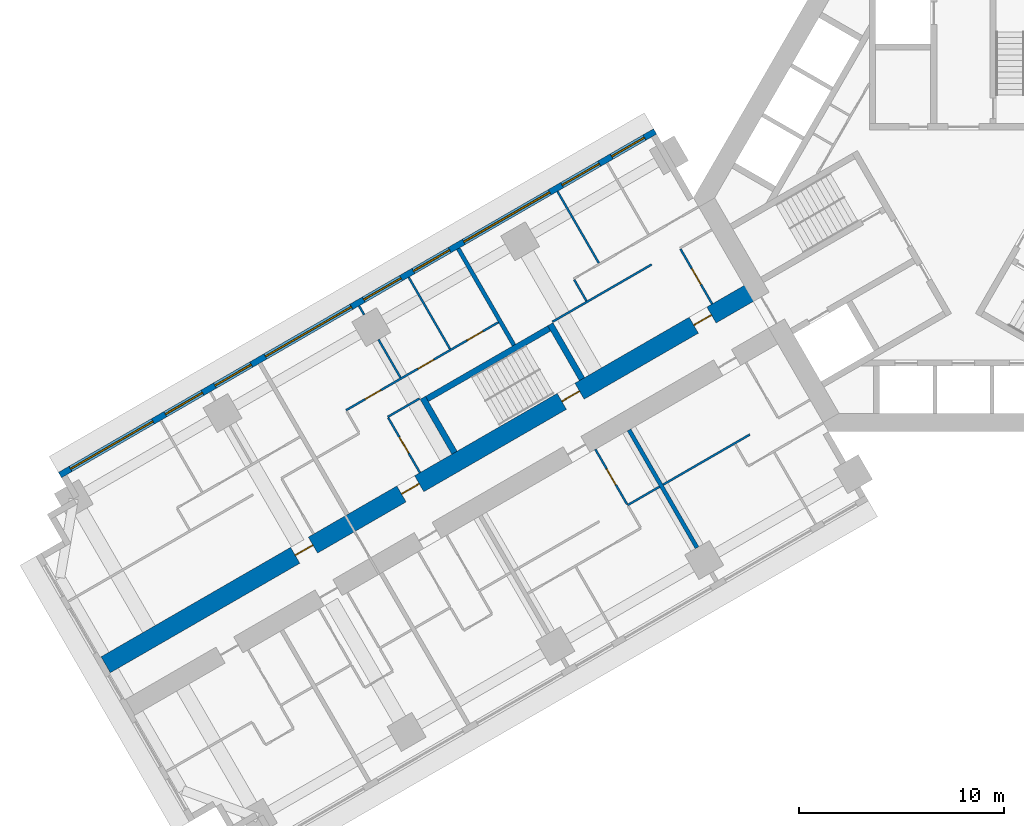
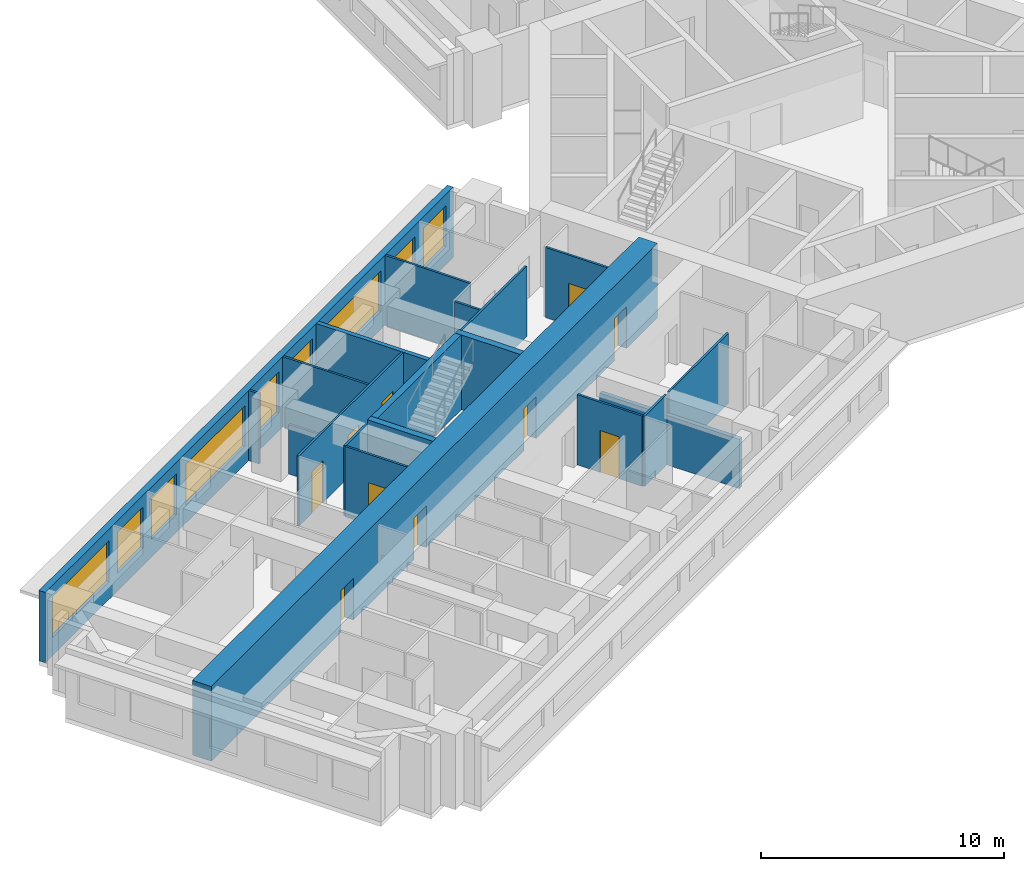
# One storey, part 5 of 16: 20 walls, 10 doors, 9 windows, 19 openings.
"""IFC4 building model written with IfcOpenShell, lengths in metres."""

from ifc_helpers import new_model, si_unit, direction, frame, frame_2d, origin, place, context, subcontext, project, spatial, rectangle, extrude, material, layer, layer_set, type_object, element, fill, save


model = new_model("IFC4")

# Units and contexts
model_context = context("Model", 3, precision=1e-05, world=origin(), true_north=direction((0.0, 1.0)))
body_context = subcontext(model_context, "Body", "Model", "MODEL_VIEW")
ifc_project = project(units=[si_unit("LENGTHUNIT", "METRE"), si_unit("AREAUNIT", "SQUARE_METRE"), si_unit("VOLUMEUNIT", "CUBIC_METRE"), si_unit("PLANEANGLEUNIT", "RADIAN"), si_unit("MASSUNIT", "GRAM", prefix="KILO")], contexts=[model_context])

# Site, building, storey
site_placement = place(None, origin())
site = spatial("IfcSite", under=ifc_project, at=site_placement, CompositionType="ELEMENT")
building_placement = place(site_placement, origin())
building = spatial("IfcBuilding", under=site, at=building_placement, Name="Impinga Residences", CompositionType="ELEMENT")
storey_placement = place(building_placement, frame((0.0, 0.0, 71.0)))
storey = spatial("IfcBuildingStorey", under=building, at=storey_placement, Name="L17", CompositionType="ELEMENT", Elevation=71.0)

# Wall, openings, doors
ifc_material_1 = material(Name="Concrete C70/85", Category="concrete")
ifc_layer_1 = layer(ifc_material_1, 0.89990234375)
ifc_layer_set_1 = layer_set([ifc_layer_1], Name="Concrete C70/85")
wall_type_1 = type_object("IfcWallType", Name="BW1 corridor buttress wall, L05 to L22 900", PredefinedType="SHEAR", material=ifc_layer_set_1)
wall_1_placement = place(storey_placement, frame((-10.1103515625, -4.451416015625, 0.0), z_axis=(0.0, 0.0, 1.0), x_axis=(-0.866025284237, -0.500000207062, 0.0)))
wall_1 = element("IfcWall", 1, at=wall_1_placement, inside=storey, type_object=wall_type_1, Name="Corridor wall BW1 WD L17", PredefinedType="SHEAR", context=body_context, shape_type="SweptSolid", body=[
    extrude(rectangle(XDim=36.75, YDim=0.89990234375, at=frame_2d((18.375, 0.0))), origin(), (0.0, 0.0, 1.0), 3.75),
])
opening_1_placement = place(wall_1_placement, frame((10.0, 0.0, 0.0)))
opening_1 = element("IfcOpeningElement", 2, at=opening_1_placement, cuts=wall_1, Name="Opening D5", PredefinedType="OPENING", context=body_context, shape_type="SweptSolid", body=[
    extrude(rectangle(XDim=1.0, YDim=2.10009765625, at=frame_2d((0.5, 1.050048828125))), frame((0.0, 0.4599609375, 0.0), z_axis=(0.0, -1.0, 0.0), x_axis=(1.0, 0.0, 0.0)), (0.0, 0.0, 1.0), 0.919921875),
])
opening_2_placement = place(wall_1_placement, frame((2.550048828125, 0.0, 0.0)))
opening_2 = element("IfcOpeningElement", 3, at=opening_2_placement, cuts=wall_1, Name="Opening D1", PredefinedType="OPENING", context=body_context, shape_type="SweptSolid", body=[
    extrude(rectangle(XDim=1.0, YDim=2.10009765625, at=frame_2d((0.5, 1.050048828125))), frame((0.0, 0.4599609375, 0.0), z_axis=(0.0, -1.0, 0.0), x_axis=(1.0, 0.0, 0.0)), (0.0, 0.0, 1.0), 0.919921875),
])
opening_3_placement = place(wall_1_placement, frame((19.050048828125, 0.0, 0.0)))
opening_3 = element("IfcOpeningElement", 4, at=opening_3_placement, cuts=wall_1, Name="Opening D1", PredefinedType="OPENING", context=body_context, shape_type="SweptSolid", body=[
    extrude(rectangle(XDim=1.0, YDim=2.10009765625, at=frame_2d((0.5, 1.050048828125))), frame((0.0, 0.4599609375, 0.0), z_axis=(0.0, -1.0, 0.0), x_axis=(1.0, 0.0, 0.0)), (0.0, 0.0, 1.0), 0.919921875),
])
opening_4_placement = place(wall_1_placement, frame((25.050048828125, 0.0, 0.0)))
opening_4 = element("IfcOpeningElement", 5, at=opening_4_placement, cuts=wall_1, Name="Opening D1", PredefinedType="OPENING", context=body_context, shape_type="SweptSolid", body=[
    extrude(rectangle(XDim=1.0, YDim=2.10009765625, at=frame_2d((0.5, 1.050048828125))), frame((0.0, 0.4599609375, 0.0), z_axis=(0.0, -1.0, 0.0), x_axis=(1.0, 0.0, 0.0)), (0.0, 0.0, 1.0), 0.919921875),
])
ifc_material_2 = material(Name="Timber door set", Category="wood")
door_type_1 = type_object("IfcDoorType", Name="D1 apartment entrance door 1000x2100", OperationType="SINGLE_SWING_LEFT", PredefinedType="DOOR", material=ifc_material_2)
door_1_placement = place(opening_2_placement, origin())
door_1 = element("IfcDoor", 6, at=door_1_placement, inside=storey, type_object=door_type_1, Name="Apartment L17-WF1 entrance", OperationType="SINGLE_SWING_LEFT", OverallHeight=2.10009765625, OverallWidth=1.0, PredefinedType="DOOR", context=body_context, shape_type="SweptSolid", body=[
    extrude(rectangle(XDim=1.0, YDim=2.10009765625, at=frame_2d((0.5, 1.050048828125))), frame((0.0, 0.02490234375, 0.0), z_axis=(0.0, -1.0, 0.0), x_axis=(1.0, 0.0, 0.0)), (0.0, 0.0, 1.0), 0.050048828125),
])
fill(opening_2, door_1)
door_2_placement = place(opening_3_placement, origin())
door_2 = element("IfcDoor", 7, at=door_2_placement, inside=storey, type_object=door_type_1, Name="Apartment L17-WF2 entrance", OperationType="SINGLE_SWING_RIGHT", OverallHeight=2.10009765625, OverallWidth=1.0, PredefinedType="DOOR", context=body_context, shape_type="SweptSolid", body=[
    extrude(rectangle(XDim=1.0, YDim=2.10009765625, at=frame_2d((0.5, 1.050048828125))), frame((0.0, 0.02490234375, 0.0), z_axis=(0.0, -1.0, 0.0), x_axis=(1.0, 0.0, 0.0)), (0.0, 0.0, 1.0), 0.050048828125),
])
fill(opening_3, door_2)
door_3_placement = place(opening_4_placement, origin())
door_3 = element("IfcDoor", 8, at=door_3_placement, inside=storey, type_object=door_type_1, Name="Apartment L17-WF3 entrance", OperationType="SINGLE_SWING_RIGHT", OverallHeight=2.10009765625, OverallWidth=1.0, PredefinedType="DOOR", context=body_context, shape_type="SweptSolid", body=[
    extrude(rectangle(XDim=1.0, YDim=2.10009765625, at=frame_2d((0.5, 1.050048828125))), frame((0.0, 0.02490234375, 0.0), z_axis=(0.0, -1.0, 0.0), x_axis=(1.0, 0.0, 0.0)), (0.0, 0.0, 1.0), 0.050048828125),
])
fill(opening_4, door_3)
door_type_2 = type_object("IfcDoorType", Name="D5 stair door 1000x2100", OperationType="SINGLE_SWING_LEFT", PredefinedType="DOOR", material=ifc_material_2)
door_4_placement = place(opening_1_placement, origin())
door_4 = element("IfcDoor", 9, at=door_4_placement, inside=storey, type_object=door_type_2, Name="Wing stair door W", OperationType="SINGLE_SWING_LEFT", OverallHeight=2.10009765625, OverallWidth=1.0, PredefinedType="DOOR", context=body_context, shape_type="SweptSolid", body=[
    extrude(rectangle(XDim=1.0, YDim=2.10009765625, at=frame_2d((0.5, 1.050048828125))), frame((0.0, 0.02490234375, 0.0), z_axis=(0.0, -1.0, 0.0), x_axis=(1.0, 0.0, 0.0)), (0.0, 0.0, 1.0), 0.050048828125),
])
fill(opening_1, door_4)

# Wall, openings, windows
ifc_material_3 = material(Name="Terracotta rainscreen on blockwork", Category="masonry")
ifc_layer_2 = layer(ifc_material_3, 0.300048828125)
ifc_layer_set_2 = layer_set([ifc_layer_2], Name="EW1 external wall, terracotta rainscreen on blockwork 300")
wall_type_2 = type_object("IfcWallType", Name="EW1 external wall, terracotta rainscreen on blockwork 300", PredefinedType="SOLIDWALL", material=ifc_layer_set_2)
wall_2_placement = place(storey_placement, frame((-44.17333984375, -13.552490234375, 0.0), z_axis=(0.0, 0.0, 1.0), x_axis=(0.866024291668, 0.500001926238, 0.0)))
wall_2 = element("IfcWall", 10, at=wall_2_placement, inside=storey, type_object=wall_type_2, Name="External wall EW1 L17", PredefinedType="SOLIDWALL", context=body_context, shape_type="SweptSolid", body=[
    extrude(rectangle(XDim=33.599853515625, YDim=0.300048828125, at=frame_2d((16.7998046875, 0.0))), origin(), (0.0, 0.0, 1.0), 3.530029296875),
])
opening_5_placement = place(wall_2_placement, frame((0.60009765625, 0.0, 0.89990234375)))
opening_5 = element("IfcOpeningElement", 11, at=opening_5_placement, cuts=wall_2, Name="Opening W10", PredefinedType="OPENING", context=body_context, shape_type="SweptSolid", body=[
    extrude(rectangle(XDim=4.64990234375, YDim=2.050048828125, at=frame_2d((2.324951171875, 1.02490234375))), frame((0.0, 0.159912109375, 0.0), z_axis=(0.0, -1.0, 0.0), x_axis=(1.0, 0.0, 0.0)), (0.0, 0.0, 1.0), 0.320068359375),
])
opening_6_placement = place(wall_2_placement, frame((5.949951171875, 0.0, 0.89990234375)))
opening_6 = element("IfcOpeningElement", 12, at=opening_6_placement, cuts=wall_2, Name="Opening W9", PredefinedType="OPENING", context=body_context, shape_type="SweptSolid", body=[
    extrude(rectangle(XDim=2.10009765625, YDim=2.050048828125, at=frame_2d((1.050048828125, 1.02490234375))), frame((0.0, 0.159912109375, 0.0), z_axis=(0.0, -1.0, 0.0), x_axis=(1.0, 0.0, 0.0)), (0.0, 0.0, 1.0), 0.320068359375),
])
opening_7_placement = place(wall_2_placement, frame((8.75, 0.0, 0.89990234375)))
opening_7 = element("IfcOpeningElement", 13, at=opening_7_placement, cuts=wall_2, Name="Opening W14", PredefinedType="OPENING", context=body_context, shape_type="SweptSolid", body=[
    extrude(rectangle(XDim=2.050048828125, YDim=2.050048828125, at=frame_2d((1.02490234375, 1.02490234375))), frame((0.0, 0.159912109375, 0.0), z_axis=(0.0, -1.0, 0.0), x_axis=(1.0, 0.0, 0.0)), (0.0, 0.0, 1.0), 0.320068359375),
])
opening_8_placement = place(wall_2_placement, frame((11.60009765625, 0.0, 0.89990234375)))
opening_8 = element("IfcOpeningElement", 14, at=opening_8_placement, cuts=wall_2, Name="Opening W6", PredefinedType="OPENING", context=body_context, shape_type="SweptSolid", body=[
    extrude(rectangle(XDim=4.85009765625, YDim=2.050048828125, at=frame_2d((2.425048828125, 1.02490234375))), frame((0.0, 0.159912109375, 0.0), z_axis=(0.0, -1.0, 0.0), x_axis=(1.0, 0.0, 0.0)), (0.0, 0.0, 1.0), 0.320068359375),
])
opening_9_placement = place(wall_2_placement, frame((17.14990234375, 0.0, 0.89990234375)))
opening_9 = element("IfcOpeningElement", 15, at=opening_9_placement, cuts=wall_2, Name="Opening W9", PredefinedType="OPENING", context=body_context, shape_type="SweptSolid", body=[
    extrude(rectangle(XDim=2.10009765625, YDim=2.050048828125, at=frame_2d((1.050048828125, 1.02490234375))), frame((0.0, 0.159912109375, 0.0), z_axis=(0.0, -1.0, 0.0), x_axis=(1.0, 0.0, 0.0)), (0.0, 0.0, 1.0), 0.320068359375),
])
opening_10_placement = place(wall_2_placement, frame((19.949951171875, 0.0, 0.89990234375)))
opening_10 = element("IfcOpeningElement", 16, at=opening_10_placement, cuts=wall_2, Name="Opening W14", PredefinedType="OPENING", context=body_context, shape_type="SweptSolid", body=[
    extrude(rectangle(XDim=2.050048828125, YDim=2.050048828125, at=frame_2d((1.02490234375, 1.02490234375))), frame((0.0, 0.159912109375, 0.0), z_axis=(0.0, -1.0, 0.0), x_axis=(1.0, 0.0, 0.0)), (0.0, 0.0, 1.0), 0.320068359375),
])
opening_11_placement = place(wall_2_placement, frame((22.800048828125, 0.0, 0.89990234375)))
opening_11 = element("IfcOpeningElement", 17, at=opening_11_placement, cuts=wall_2, Name="Opening W6", PredefinedType="OPENING", context=body_context, shape_type="SweptSolid", body=[
    extrude(rectangle(XDim=4.85009765625, YDim=2.050048828125, at=frame_2d((2.425048828125, 1.02490234375))), frame((0.0, 0.159912109375, 0.0), z_axis=(0.0, -1.0, 0.0), x_axis=(1.0, 0.0, 0.0)), (0.0, 0.0, 1.0), 0.320068359375),
])
opening_12_placement = place(wall_2_placement, frame((28.35009765625, 0.0, 0.89990234375)))
opening_12 = element("IfcOpeningElement", 18, at=opening_12_placement, cuts=wall_2, Name="Opening W9", PredefinedType="OPENING", context=body_context, shape_type="SweptSolid", body=[
    extrude(rectangle(XDim=2.10009765625, YDim=2.050048828125, at=frame_2d((1.050048828125, 1.02490234375))), frame((0.0, 0.159912109375, 0.0), z_axis=(0.0, -1.0, 0.0), x_axis=(1.0, 0.0, 0.0)), (0.0, 0.0, 1.0), 0.320068359375),
])
opening_13_placement = place(wall_2_placement, frame((31.14990234375, 0.0, 0.89990234375)))
opening_13 = element("IfcOpeningElement", 19, at=opening_13_placement, cuts=wall_2, Name="Opening W15", PredefinedType="OPENING", context=body_context, shape_type="SweptSolid", body=[
    extrude(rectangle(XDim=1.85009765625, YDim=2.050048828125, at=frame_2d((0.925048828125, 1.02490234375))), frame((0.0, 0.159912109375, 0.0), z_axis=(0.0, -1.0, 0.0), x_axis=(1.0, 0.0, 0.0)), (0.0, 0.0, 1.0), 0.320068359375),
])
ifc_material_4 = material(Name="Aluminium window, clear double glazing", Category="aluminium")
window_type_1 = type_object("IfcWindowType", Name="W10 ribbon window 4650x2050", PartitioningType="SINGLE_PANEL", PredefinedType="WINDOW", material=ifc_material_4)
window_1_placement = place(opening_5_placement, origin())
window_1 = element("IfcWindow", 20, at=window_1_placement, inside=storey, type_object=window_type_1, Name="Window L17", OverallHeight=2.050048828125, OverallWidth=4.64990234375, PartitioningType="SINGLE_PANEL", PredefinedType="WINDOW", context=body_context, shape_type="SweptSolid", body=[
    extrude(rectangle(XDim=4.64990234375, YDim=2.050048828125, at=frame_2d((2.324951171875, 1.02490234375))), frame((0.0, 0.030029296875, 0.0), z_axis=(0.0, -1.0, 0.0), x_axis=(1.0, 0.0, 0.0)), (0.0, 0.0, 1.0), 0.06005859375),
])
fill(opening_5, window_1)
window_type_2 = type_object("IfcWindowType", Name="W14 ribbon window 2050x2050", PartitioningType="SINGLE_PANEL", PredefinedType="WINDOW", material=ifc_material_4)
window_2_placement = place(opening_7_placement, origin())
window_2 = element("IfcWindow", 21, at=window_2_placement, inside=storey, type_object=window_type_2, Name="Window L17", OverallHeight=2.050048828125, OverallWidth=2.050048828125, PartitioningType="SINGLE_PANEL", PredefinedType="WINDOW", context=body_context, shape_type="SweptSolid", body=[
    extrude(rectangle(XDim=2.050048828125, YDim=2.050048828125, at=frame_2d((1.02490234375, 1.02490234375))), frame((0.0, 0.030029296875, 0.0), z_axis=(0.0, -1.0, 0.0), x_axis=(1.0, 0.0, 0.0)), (0.0, 0.0, 1.0), 0.06005859375),
])
fill(opening_7, window_2)
window_3_placement = place(opening_10_placement, origin())
window_3 = element("IfcWindow", 22, at=window_3_placement, inside=storey, type_object=window_type_2, Name="Window L17", OverallHeight=2.050048828125, OverallWidth=2.050048828125, PartitioningType="SINGLE_PANEL", PredefinedType="WINDOW", context=body_context, shape_type="SweptSolid", body=[
    extrude(rectangle(XDim=2.050048828125, YDim=2.050048828125, at=frame_2d((1.02490234375, 1.02490234375))), frame((0.0, 0.030029296875, 0.0), z_axis=(0.0, -1.0, 0.0), x_axis=(1.0, 0.0, 0.0)), (0.0, 0.0, 1.0), 0.06005859375),
])
fill(opening_10, window_3)
window_type_3 = type_object("IfcWindowType", Name="W15 ribbon window 1850x2050", PartitioningType="SINGLE_PANEL", PredefinedType="WINDOW", material=ifc_material_4)
window_4_placement = place(opening_13_placement, origin())
window_4 = element("IfcWindow", 23, at=window_4_placement, inside=storey, type_object=window_type_3, Name="Window L17", OverallHeight=2.050048828125, OverallWidth=1.85009765625, PartitioningType="SINGLE_PANEL", PredefinedType="WINDOW", context=body_context, shape_type="SweptSolid", body=[
    extrude(rectangle(XDim=1.85009765625, YDim=2.050048828125, at=frame_2d((0.925048828125, 1.02490234375))), frame((0.0, 0.030029296875, 0.0), z_axis=(0.0, -1.0, 0.0), x_axis=(1.0, 0.0, 0.0)), (0.0, 0.0, 1.0), 0.06005859375),
])
fill(opening_13, window_4)
window_type_4 = type_object("IfcWindowType", Name="W6 ribbon window 4850x2050", PartitioningType="SINGLE_PANEL", PredefinedType="WINDOW", material=ifc_material_4)
window_5_placement = place(opening_8_placement, origin())
window_5 = element("IfcWindow", 24, at=window_5_placement, inside=storey, type_object=window_type_4, Name="Window L17", OverallHeight=2.050048828125, OverallWidth=4.85009765625, PartitioningType="SINGLE_PANEL", PredefinedType="WINDOW", context=body_context, shape_type="SweptSolid", body=[
    extrude(rectangle(XDim=4.85009765625, YDim=2.050048828125, at=frame_2d((2.425048828125, 1.02490234375))), frame((0.0, 0.030029296875, 0.0), z_axis=(0.0, -1.0, 0.0), x_axis=(1.0, 0.0, 0.0)), (0.0, 0.0, 1.0), 0.06005859375),
])
fill(opening_8, window_5)
window_6_placement = place(opening_11_placement, origin())
window_6 = element("IfcWindow", 25, at=window_6_placement, inside=storey, type_object=window_type_4, Name="Window L17", OverallHeight=2.050048828125, OverallWidth=4.85009765625, PartitioningType="SINGLE_PANEL", PredefinedType="WINDOW", context=body_context, shape_type="SweptSolid", body=[
    extrude(rectangle(XDim=4.85009765625, YDim=2.050048828125, at=frame_2d((2.425048828125, 1.02490234375))), frame((0.0, 0.030029296875, 0.0), z_axis=(0.0, -1.0, 0.0), x_axis=(1.0, 0.0, 0.0)), (0.0, 0.0, 1.0), 0.06005859375),
])
fill(opening_11, window_6)
window_type_5 = type_object("IfcWindowType", Name="W9 ribbon window 2100x2050", PartitioningType="SINGLE_PANEL", PredefinedType="WINDOW", material=ifc_material_4)
window_7_placement = place(opening_6_placement, origin())
window_7 = element("IfcWindow", 26, at=window_7_placement, inside=storey, type_object=window_type_5, Name="Window L17", OverallHeight=2.050048828125, OverallWidth=2.10009765625, PartitioningType="SINGLE_PANEL", PredefinedType="WINDOW", context=body_context, shape_type="SweptSolid", body=[
    extrude(rectangle(XDim=2.10009765625, YDim=2.050048828125, at=frame_2d((1.050048828125, 1.02490234375))), frame((0.0, 0.030029296875, 0.0), z_axis=(0.0, -1.0, 0.0), x_axis=(1.0, 0.0, 0.0)), (0.0, 0.0, 1.0), 0.06005859375),
])
fill(opening_6, window_7)
window_8_placement = place(opening_9_placement, origin())
window_8 = element("IfcWindow", 27, at=window_8_placement, inside=storey, type_object=window_type_5, Name="Window L17", OverallHeight=2.050048828125, OverallWidth=2.10009765625, PartitioningType="SINGLE_PANEL", PredefinedType="WINDOW", context=body_context, shape_type="SweptSolid", body=[
    extrude(rectangle(XDim=2.10009765625, YDim=2.050048828125, at=frame_2d((1.050048828125, 1.02490234375))), frame((0.0, 0.030029296875, 0.0), z_axis=(0.0, -1.0, 0.0), x_axis=(1.0, 0.0, 0.0)), (0.0, 0.0, 1.0), 0.06005859375),
])
fill(opening_9, window_8)
window_9_placement = place(opening_12_placement, origin())
window_9 = element("IfcWindow", 28, at=window_9_placement, inside=storey, type_object=window_type_5, Name="Window L17", OverallHeight=2.050048828125, OverallWidth=2.10009765625, PartitioningType="SINGLE_PANEL", PredefinedType="WINDOW", context=body_context, shape_type="SweptSolid", body=[
    extrude(rectangle(XDim=2.10009765625, YDim=2.050048828125, at=frame_2d((1.050048828125, 1.02490234375))), frame((0.0, 0.030029296875, 0.0), z_axis=(0.0, -1.0, 0.0), x_axis=(1.0, 0.0, 0.0)), (0.0, 0.0, 1.0), 0.06005859375),
])
fill(opening_12, window_9)

# Walls
ifc_material_5 = material(Name="Gypsum board on steel studs", Category="steel")
ifc_layer_3 = layer(ifc_material_5, 0.10009765625)
ifc_layer_set_3 = layer_set([ifc_layer_3], Name="Gypsum board on steel studs")
wall_type_3 = type_object("IfcWallType", Name="IP1 partition 100", PredefinedType="PARTITIONING", material=ifc_layer_set_3)
wall_3_placement = place(storey_placement, frame((-10.444580078125, -11.57275390625, 0.0), z_axis=(0.0, 0.0, 1.0), x_axis=(-0.866023786258, -0.500002801628, 0.0)))
element("IfcWall", 29, at=wall_3_placement, inside=storey, type_object=wall_type_3, Name="Partition L17-WA1:DIV1", PredefinedType="PARTITIONING", context=body_context, shape_type="SweptSolid", body=[
    extrude(rectangle(XDim=4.89990234375, YDim=0.10009765625, at=frame_2d((2.449951171875, 0.0))), origin(), (0.0, 0.0, 1.0), 3.530029296875),
])
wall_4_placement = place(storey_placement, frame((-14.861328125, -14.122802734375, 0.0), z_axis=(0.0, 0.0, 1.0), x_axis=(-0.866047807691, -0.499961193289, 0.0)))
element("IfcWall", 30, at=wall_4_placement, inside=storey, type_object=wall_type_3, Name="Partition L17-WA2:DIV0", PredefinedType="PARTITIONING", context=body_context, shape_type="SweptSolid", body=[
    extrude(rectangle(XDim=1.800048828125, YDim=0.10009765625, at=frame_2d((0.89990234375, 0.0))), origin(), (0.0, 0.0, 1.0), 3.530029296875),
])

# Wall, opening, door
wall_5_placement = place(storey_placement, frame((-17.9951171875, -12.294677734375, 0.0), z_axis=(0.0, 0.0, 1.0), x_axis=(0.49999285859, -0.86602952684, 0.0)))
wall_5 = element("IfcWall", 31, at=wall_5_placement, inside=storey, type_object=wall_type_3, Name="Partition L17-WA2:IB1", PredefinedType="PARTITIONING", context=body_context, shape_type="SweptSolid", body=[
    extrude(rectangle(XDim=3.10009765625, YDim=0.10009765625, at=frame_2d((1.550048828125, 0.0))), origin(), (0.0, 0.0, 1.0), 3.530029296875),
])
opening_14_placement = place(wall_5_placement, frame((1.10009765625, 0.0, 0.0)))
opening_14 = element("IfcOpeningElement", 32, at=opening_14_placement, cuts=wall_5, Name="Opening D2", PredefinedType="OPENING", context=body_context, shape_type="SweptSolid", body=[
    extrude(rectangle(XDim=0.89990234375, YDim=2.10009765625, at=frame_2d((0.449951171875, 1.050048828125))), frame((0.0, 0.06005859375, 0.0), z_axis=(0.0, -1.0, 0.0), x_axis=(1.0, 0.0, 0.0)), (0.0, 0.0, 1.0), 0.1201171875),
])
door_type_3 = type_object("IfcDoorType", Name="D2 internal door 900x2100", OperationType="SINGLE_SWING_LEFT", PredefinedType="DOOR", material=ifc_material_2)
door_5_placement = place(opening_14_placement, origin())
door_5 = element("IfcDoor", 33, at=door_5_placement, inside=storey, type_object=door_type_3, Name="Apartment L17-WA2 bathroom door", OperationType="SINGLE_SWING_LEFT", OverallHeight=2.10009765625, OverallWidth=0.89990234375, PredefinedType="DOOR", context=body_context, shape_type="SweptSolid", body=[
    extrude(rectangle(XDim=0.89990234375, YDim=2.10009765625, at=frame_2d((0.449951171875, 1.050048828125))), frame((0.0, 0.02490234375, 0.0), z_axis=(0.0, -1.0, 0.0), x_axis=(1.0, 0.0, 0.0)), (0.0, 0.0, 1.0), 0.050048828125),
])
fill(opening_14, door_5)

# Walls
wall_6_placement = place(storey_placement, frame((-15.244384765625, -3.2587890625, 0.0), z_axis=(0.0, 0.0, 1.0), x_axis=(-0.866026594901, -0.49999793692, 0.0)))
element("IfcWall", 34, at=wall_6_placement, inside=storey, type_object=wall_type_3, Name="Partition L17-WF1:DIV1", PredefinedType="PARTITIONING", context=body_context, shape_type="SweptSolid", body=[
    extrude(rectangle(XDim=5.60009765625, YDim=0.10009765625, at=frame_2d((2.800048828125, 0.0))), origin(), (0.0, 0.0, 1.0), 3.530029296875),
])
wall_7_placement = place(storey_placement, frame((-18.430419921875, -5.04052734375, 0.0), z_axis=(0.0, 0.0, 1.0), x_axis=(-0.500033551112, 0.866006032174, 0.0)))
element("IfcWall", 35, at=wall_7_placement, inside=storey, type_object=wall_type_3, Name="Partition L17-WF1:SE1", PredefinedType="PARTITIONING", context=body_context, shape_type="SweptSolid", body=[
    extrude(rectangle(XDim=1.2001953125, YDim=0.10009765625, at=frame_2d((0.60009765625, 0.0))), origin(), (0.0, 0.0, 1.0), 3.530029296875),
])

# Wall, opening, door
wall_8_placement = place(storey_placement, frame((-12.283935546875, -5.186767578125, 0.0), z_axis=(0.0, 0.0, 1.0), x_axis=(-0.499967891604, 0.866043940782, 0.0)))
wall_8 = element("IfcWall", 36, at=wall_8_placement, inside=storey, type_object=wall_type_3, Name="Partition L17-WF1:IB1", PredefinedType="PARTITIONING", context=body_context, shape_type="SweptSolid", body=[
    extrude(rectangle(XDim=3.099853515625, YDim=0.10009765625, at=frame_2d((1.5498046875, 0.0))), origin(), (0.0, 0.0, 1.0), 3.530029296875),
])
opening_15_placement = place(wall_8_placement, frame((1.10009765625, 0.0, 0.0)))
opening_15 = element("IfcOpeningElement", 37, at=opening_15_placement, cuts=wall_8, Name="Opening D2", PredefinedType="OPENING", context=body_context, shape_type="SweptSolid", body=[
    extrude(rectangle(XDim=0.89990234375, YDim=2.10009765625, at=frame_2d((0.449951171875, 1.050048828125))), frame((0.0, 0.06005859375, 0.0), z_axis=(0.0, -1.0, 0.0), x_axis=(1.0, 0.0, 0.0)), (0.0, 0.0, 1.0), 0.1201171875),
])
door_6_placement = place(opening_15_placement, origin())
door_6 = element("IfcDoor", 38, at=door_6_placement, inside=storey, type_object=door_type_3, Name="Apartment L17-WF1 bathroom door", OperationType="SINGLE_SWING_LEFT", OverallHeight=2.10009765625, OverallWidth=0.89990234375, PredefinedType="DOOR", context=body_context, shape_type="SweptSolid", body=[
    extrude(rectangle(XDim=0.89990234375, YDim=2.10009765625, at=frame_2d((0.449951171875, 1.050048828125))), frame((0.0, 0.02490234375, 0.0), z_axis=(0.0, -1.0, 0.0), x_axis=(1.0, 0.0, 0.0)), (0.0, 0.0, 1.0), 0.050048828125),
])
fill(opening_15, door_6)

# Walls
wall_9_placement = place(storey_placement, frame((-17.82470703125, -3.189697265625, 0.0), z_axis=(0.0, 0.0, 1.0), x_axis=(-0.500035537042, 0.866004885491, 0.0)))
element("IfcWall", 39, at=wall_9_placement, inside=storey, type_object=wall_type_3, Name="Partition L17-WF1:OB2", PredefinedType="PARTITIONING", context=body_context, shape_type="SweptSolid", body=[
    extrude(rectangle(XDim=4.050048828125, YDim=0.10009765625, at=frame_2d((2.02490234375, 0.0))), origin(), (0.0, 0.0, 1.0), 3.530029296875),
])
wall_10_placement = place(storey_placement, frame((-26.58935546875, -9.808837890625, 0.0), z_axis=(0.0, 0.0, 1.0), x_axis=(-0.866047807691, -0.499961193289, 0.0)))
element("IfcWall", 40, at=wall_10_placement, inside=storey, type_object=wall_type_3, Name="Partition L17-WF2:DIV0", PredefinedType="PARTITIONING", context=body_context, shape_type="SweptSolid", body=[
    extrude(rectangle(XDim=1.800048828125, YDim=0.10009765625, at=frame_2d((0.89990234375, 0.0))), origin(), (0.0, 0.0, 1.0), 3.530029296875),
])

# Wall, openings, doors
wall_11_placement = place(storey_placement, frame((-22.736083984375, -6.0830078125, 0.0), z_axis=(0.0, 0.0, 1.0), x_axis=(-0.866021068297, -0.500007509209, 0.0)))
wall_11 = element("IfcWall", 41, at=wall_11_placement, inside=storey, type_object=wall_type_3, Name="Partition L17-WF2:STRIP", PredefinedType="PARTITIONING", context=body_context, shape_type="SweptSolid", body=[
    extrude(rectangle(XDim=8.599853515625, YDim=0.10009765625, at=frame_2d((4.2998046875, 0.0))), origin(), (0.0, 0.0, 1.0), 3.530029296875),
])
opening_16_placement = place(wall_11_placement, frame((0.875, 0.0, 0.0)))
opening_16 = element("IfcOpeningElement", 42, at=opening_16_placement, cuts=wall_11, Name="Opening D2", PredefinedType="OPENING", context=body_context, shape_type="SweptSolid", body=[
    extrude(rectangle(XDim=0.89990234375, YDim=2.10009765625, at=frame_2d((0.449951171875, 1.050048828125))), frame((0.0, 0.06005859375, 0.0), z_axis=(0.0, -1.0, 0.0), x_axis=(1.0, 0.0, 0.0)), (0.0, 0.0, 1.0), 0.1201171875),
])
opening_17_placement = place(wall_11_placement, frame((3.64990234375, 0.0, 0.0)))
opening_17 = element("IfcOpeningElement", 43, at=opening_17_placement, cuts=wall_11, Name="Opening D2", PredefinedType="OPENING", context=body_context, shape_type="SweptSolid", body=[
    extrude(rectangle(XDim=0.89990234375, YDim=2.10009765625, at=frame_2d((0.449951171875, 1.050048828125))), frame((0.0, 0.06005859375, 0.0), z_axis=(0.0, -1.0, 0.0), x_axis=(1.0, 0.0, 0.0)), (0.0, 0.0, 1.0), 0.1201171875),
])
opening_18_placement = place(wall_11_placement, frame((6.625, 0.0, 0.0)))
opening_18 = element("IfcOpeningElement", 44, at=opening_18_placement, cuts=wall_11, Name="Opening D2", PredefinedType="OPENING", context=body_context, shape_type="SweptSolid", body=[
    extrude(rectangle(XDim=0.89990234375, YDim=2.10009765625, at=frame_2d((0.449951171875, 1.050048828125))), frame((0.0, 0.06005859375, 0.0), z_axis=(0.0, -1.0, 0.0), x_axis=(1.0, 0.0, 0.0)), (0.0, 0.0, 1.0), 0.1201171875),
])
door_7_placement = place(opening_16_placement, origin())
door_7 = element("IfcDoor", 45, at=door_7_placement, inside=storey, type_object=door_type_3, Name="Apartment L17-WF2 room door", OperationType="SINGLE_SWING_LEFT", OverallHeight=2.10009765625, OverallWidth=0.89990234375, PredefinedType="DOOR", context=body_context, shape_type="SweptSolid", body=[
    extrude(rectangle(XDim=0.89990234375, YDim=2.10009765625, at=frame_2d((0.449951171875, 1.050048828125))), frame((0.0, 0.02490234375, 0.0), z_axis=(0.0, -1.0, 0.0), x_axis=(1.0, 0.0, 0.0)), (0.0, 0.0, 1.0), 0.050048828125),
])
fill(opening_16, door_7)
door_8_placement = place(opening_17_placement, origin())
door_8 = element("IfcDoor", 46, at=door_8_placement, inside=storey, type_object=door_type_3, Name="Apartment L17-WF2 room door", OperationType="SINGLE_SWING_LEFT", OverallHeight=2.10009765625, OverallWidth=0.89990234375, PredefinedType="DOOR", context=body_context, shape_type="SweptSolid", body=[
    extrude(rectangle(XDim=0.89990234375, YDim=2.10009765625, at=frame_2d((0.449951171875, 1.050048828125))), frame((0.0, 0.02490234375, 0.0), z_axis=(0.0, -1.0, 0.0), x_axis=(1.0, 0.0, 0.0)), (0.0, 0.0, 1.0), 0.050048828125),
])
fill(opening_17, door_8)
door_9_placement = place(opening_18_placement, origin())
door_9 = element("IfcDoor", 47, at=door_9_placement, inside=storey, type_object=door_type_3, Name="Apartment L17-WF2 room door", OperationType="SINGLE_SWING_RIGHT", OverallHeight=2.10009765625, OverallWidth=0.89990234375, PredefinedType="DOOR", context=body_context, shape_type="SweptSolid", body=[
    extrude(rectangle(XDim=0.89990234375, YDim=2.10009765625, at=frame_2d((0.449951171875, 1.050048828125))), frame((0.0, 0.02490234375, 0.0), z_axis=(0.0, -1.0, 0.0), x_axis=(1.0, 0.0, 0.0)), (0.0, 0.0, 1.0), 0.050048828125),
])
fill(opening_18, door_9)

# Wall, opening, door
wall_12_placement = place(storey_placement, frame((-26.5732421875, -13.436767578125, 0.0), z_axis=(0.0, 0.0, 1.0), x_axis=(-0.500026960575, 0.86600983753, 0.0)))
wall_12 = element("IfcWall", 48, at=wall_12_placement, inside=storey, type_object=wall_type_3, Name="Partition L17-WF2:IB1", PredefinedType="PARTITIONING", context=body_context, shape_type="SweptSolid", body=[
    extrude(rectangle(XDim=3.099853515625, YDim=0.10009765625, at=frame_2d((1.5498046875, 0.0))), origin(), (0.0, 0.0, 1.0), 3.530029296875),
])
opening_19_placement = place(wall_12_placement, frame((1.10009765625, 0.0, 0.0)))
opening_19 = element("IfcOpeningElement", 49, at=opening_19_placement, cuts=wall_12, Name="Opening D2", PredefinedType="OPENING", context=body_context, shape_type="SweptSolid", body=[
    extrude(rectangle(XDim=0.89990234375, YDim=2.10009765625, at=frame_2d((0.449951171875, 1.050048828125))), frame((0.0, 0.06005859375, 0.0), z_axis=(0.0, -1.0, 0.0), x_axis=(1.0, 0.0, 0.0)), (0.0, 0.0, 1.0), 0.1201171875),
])
door_10_placement = place(opening_19_placement, origin())
door_10 = element("IfcDoor", 50, at=door_10_placement, inside=storey, type_object=door_type_3, Name="Apartment L17-WF2 bathroom door", OperationType="SINGLE_SWING_LEFT", OverallHeight=2.10009765625, OverallWidth=0.89990234375, PredefinedType="DOOR", context=body_context, shape_type="SweptSolid", body=[
    extrude(rectangle(XDim=0.89990234375, YDim=2.10009765625, at=frame_2d((0.449951171875, 1.050048828125))), frame((0.0, 0.02490234375, 0.0), z_axis=(0.0, -1.0, 0.0), x_axis=(1.0, 0.0, 0.0)), (0.0, 0.0, 1.0), 0.050048828125),
])
fill(opening_19, door_10)

# Walls
wall_13_placement = place(storey_placement, frame((-25.099365234375, -7.3896484375, 0.0), z_axis=(0.0, 0.0, 1.0), x_axis=(-0.499990325971, 0.866030989016, 0.0)))
element("IfcWall", 51, at=wall_13_placement, inside=storey, type_object=wall_type_3, Name="Partition L17-WF2:OB1", PredefinedType="PARTITIONING", context=body_context, shape_type="SweptSolid", body=[
    extrude(rectangle(XDim=4.0498046875, YDim=0.10009765625, at=frame_2d((2.02490234375, 0.0))), origin(), (0.0, 0.0, 1.0), 3.530029296875),
])
wall_14_placement = place(storey_placement, frame((-27.524169921875, -8.789794921875, 0.0), z_axis=(0.0, 0.0, 1.0), x_axis=(-0.499961633463, 0.866047553582, 0.0)))
element("IfcWall", 52, at=wall_14_placement, inside=storey, type_object=wall_type_3, Name="Partition L17-WF2:OB2", PredefinedType="PARTITIONING", context=body_context, shape_type="SweptSolid", body=[
    extrude(rectangle(XDim=2.150146484375, YDim=0.10009765625, at=frame_2d((1.0751953125, 0.0))), origin(), (0.0, 0.0, 1.0), 2.47998046875),
])
wall_15_placement = place(storey_placement, frame((-29.29931640625, -5.71533203125, 0.0), z_axis=(0.0, 0.0, 1.0), x_axis=(-0.499919672301, 0.866071776036, 0.0)))
element("IfcWall", 53, at=wall_15_placement, inside=storey, type_object=wall_type_3, Name="Partition L17-WF2:OB2b", PredefinedType="PARTITIONING", context=body_context, shape_type="SweptSolid", body=[
    extrude(rectangle(XDim=0.5, YDim=0.10009765625, at=frame_2d((0.25, 0.0))), origin(), (0.0, 0.0, 1.0), 3.530029296875),
])
ifc_material_6 = material(Name="Concrete blockwork", Category="masonry")
ifc_layer_4 = layer(ifc_material_6, 0.199951171875)
ifc_layer_set_4 = layer_set([ifc_layer_4], Name="PW1 party wall between apartments 200")
wall_type_4 = type_object("IfcWallType", Name="PW1 party wall between apartments 200", PredefinedType="SOLIDWALL", material=ifc_layer_set_4)
wall_16_placement = place(storey_placement, frame((-16.349609375, -11.3447265625, 0.0), z_axis=(0.0, 0.0, 1.0), x_axis=(0.49999681972, -0.866027239912, 0.0)))
element("IfcWall", 54, at=wall_16_placement, inside=storey, type_object=wall_type_4, Name="Party wall between apartments L17-WA1:PARTY", PredefinedType="SOLIDWALL", context=body_context, shape_type="SweptSolid", body=[
    extrude(rectangle(XDim=6.64990234375, YDim=0.199951171875, at=frame_2d((3.324951171875, 0.0))), origin(), (0.0, 0.0, 1.0), 2.47998046875),
])
wall_17_placement = place(storey_placement, frame((-21.974365234375, -7.2021484375, 0.0), z_axis=(0.0, 0.0, 1.0), x_axis=(-0.500022328685, 0.866012511928, 0.0)))
element("IfcWall", 55, at=wall_17_placement, inside=storey, type_object=wall_type_4, Name="Party wall between apartments L17-WF1:PARTY", PredefinedType="SOLIDWALL", context=body_context, shape_type="SweptSolid", body=[
    extrude(rectangle(XDim=5.449951171875, YDim=0.199951171875, at=frame_2d((2.72509765625, 0.0))), origin(), (0.0, 0.0, 1.0), 3.530029296875),
])
ifc_material_7 = material(Name="Concrete C60/75", Category="concrete")
ifc_layer_5 = layer(ifc_material_7, 0.300048828125)
ifc_layer_set_5 = layer_set([ifc_layer_5], Name="Concrete C60/75")
wall_type_5 = type_object("IfcWallType", Name="SE1 wing stair enclosure wall 300", PredefinedType="SOLIDWALL", material=ifc_layer_set_5)
wall_18_placement = place(storey_placement, frame((-18.649169921875, -8.86181640625, 0.0), z_axis=(0.0, 0.0, 1.0), x_axis=(-0.500026960575, 0.86600983753, 0.0)))
element("IfcWall", 56, at=wall_18_placement, inside=storey, type_object=wall_type_5, Name="Stair enclosure wall SE1 W END0 L17", PredefinedType="SOLIDWALL", context=body_context, shape_type="SweptSolid", body=[
    extrude(rectangle(XDim=3.099853515625, YDim=0.300048828125, at=frame_2d((1.5498046875, 0.0))), origin(), (0.0, 0.0, 1.0), 3.75),
])
wall_19_placement = place(storey_placement, frame((-24.884521484375, -12.4619140625, 0.0), z_axis=(0.0, 0.0, 1.0), x_axis=(-0.49999285859, 0.86602952684, 0.0)))
element("IfcWall", 57, at=wall_19_placement, inside=storey, type_object=wall_type_5, Name="Stair enclosure wall SE1 W END1 L17", PredefinedType="SOLIDWALL", context=body_context, shape_type="SweptSolid", body=[
    extrude(rectangle(XDim=3.10009765625, YDim=0.300048828125, at=frame_2d((1.550048828125, 0.0))), origin(), (0.0, 0.0, 1.0), 3.75),
])
wall_20_placement = place(storey_placement, frame((-20.254150390625, -6.382080078125, 0.0), z_axis=(0.0, 0.0, 1.0), x_axis=(-0.866020008033, -0.500009345598, 0.0)))
element("IfcWall", 58, at=wall_20_placement, inside=storey, type_object=wall_type_5, Name="Stair enclosure wall SE1 W OUT L17", PredefinedType="SOLIDWALL", context=body_context, shape_type="SweptSolid", body=[
    extrude(rectangle(XDim=6.899658203125, YDim=0.300048828125, at=frame_2d((3.44970703125, 0.0))), origin(), (0.0, 0.0, 1.0), 3.75),
])

save(model, "model.ifc")
